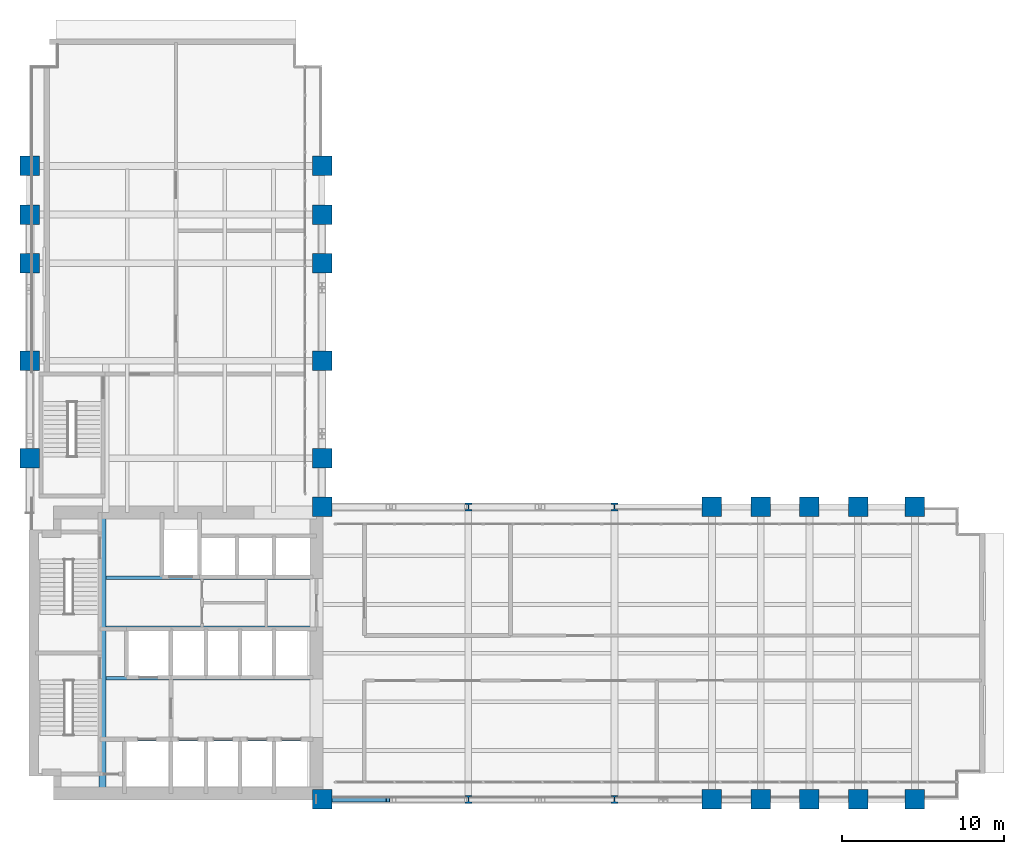
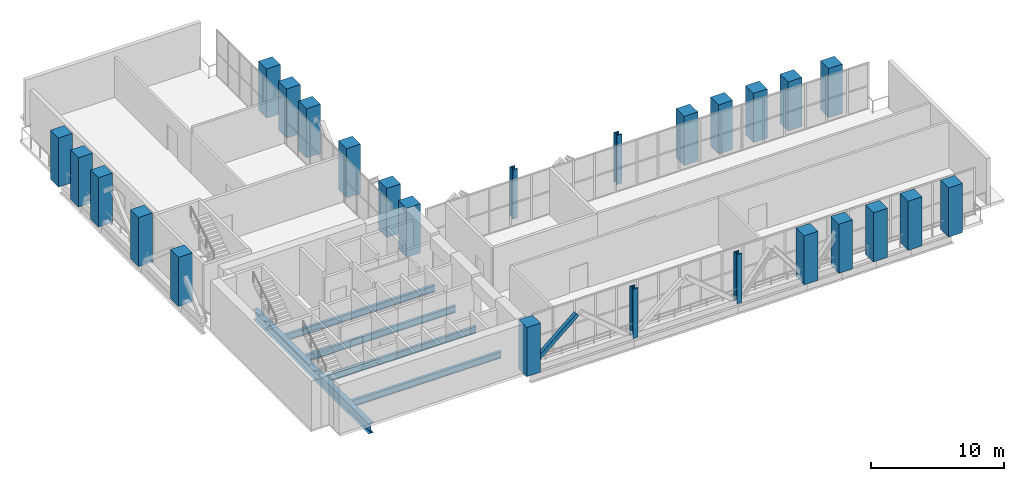
# One storey, part 1 of 27: 26 columns, 5 beams, 1 member.
"""IFC4 building model written with IfcOpenShell, lengths in metres."""

from ifc_helpers import new_model, si_unit, direction, frame, origin, origin_2d, place, context, subcontext, project, spatial, rectangle, hollow_rectangle, i_section, extrude, material, material_profile, profile_set, type_object, element, save


model = new_model("IFC4")

# Units and contexts
model_context = context("Model", 3, precision=1e-05, world=origin(), true_north=direction((0.0, 1.0)))
body_context = subcontext(model_context, "Body", "Model", "MODEL_VIEW")
ifc_project = project(units=[si_unit("LENGTHUNIT", "METRE"), si_unit("AREAUNIT", "SQUARE_METRE"), si_unit("VOLUMEUNIT", "CUBIC_METRE"), si_unit("PLANEANGLEUNIT", "RADIAN"), si_unit("MASSUNIT", "GRAM", prefix="KILO")], contexts=[model_context])

# Site, building, storey
site_placement = place(None, origin())
site = spatial("IfcSite", under=ifc_project, at=site_placement, CompositionType="ELEMENT")
building_placement = place(site_placement, origin())
building = spatial("IfcBuilding", under=site, at=building_placement, Name="Mawjdan Bourse Tower", CompositionType="ELEMENT")
storey_placement = place(building_placement, frame((0.0, 0.0, 84.60009765625)))
storey = spatial("IfcBuildingStorey", under=building, at=storey_placement, Name="L19", CompositionType="ELEMENT", Elevation=84.60009765625)

# Columns
ifc_material_1 = material(Name="Concrete C80/95", Category="concrete")
ifc_material_profile_1 = material_profile(ifc_material_1, rectangle(XDim=1.199951171875, YDim=1.199951171875, at=origin_2d()), Name="RC1200X1200")
ifc_profile_set_1 = profile_set([ifc_material_profile_1], Name="Concrete C80/95")
column_type_1 = type_object("IfcColumnType", Name="COL-RC1200X1200", PredefinedType="COLUMN", material=ifc_profile_set_1)
for number, where, z_axis, x_axis, name in (
    (1, (24.0, 3.0, 0.0), (0.0, 0.0, 1.0), (1.0, 0.0, 0.0), "L19 Structural Column C-X240-Y30"),
    (2, (24.0, 21.0, 0.0), (0.0, 0.0, 1.0), (1.0, 0.0, 0.0), "L19 Structural Column C-X240-Y210"),
    (3, (48.0, 3.0, 0.0), (0.0, 0.0, 1.0), (1.0, 0.0, 0.0), "L19 Structural Column C-X480-Y30"),
    (4, (48.0, 21.0, 0.0), (0.0, 0.0, 1.0), (1.0, 0.0, 0.0), "L19 Structural Column C-X480-Y210"),
    (5, (51.0, 3.0, 0.0), (0.0, 0.0, 1.0), (1.0, 0.0, 0.0), "L19 Structural Column C-X510-Y30"),
    (6, (51.0, 21.0, 0.0), (0.0, 0.0, 1.0), (1.0, 0.0, 0.0), "L19 Structural Column C-X510-Y210"),
    (7, (54.0, 3.0, 0.0), (0.0, 0.0, 1.0), (1.0, 0.0, 0.0), "L19 Structural Column C-X540-Y30"),
    (8, (54.0, 21.0, 0.0), (0.0, 0.0, 1.0), (1.0, 0.0, 0.0), "L19 Structural Column C-X540-Y210"),
    (9, (57.0, 3.0, 0.0), (0.0, 0.0, 1.0), (1.0, 0.0, 0.0), "L19 Structural Column C-X570-Y30"),
    (10, (57.0, 21.0, 0.0), (0.0, 0.0, 1.0), (1.0, 0.0, 0.0), "L19 Structural Column C-X570-Y210"),
    (11, (60.5, 3.0, 0.0), (0.0, 0.0, 1.0), (1.0, 0.0, 0.0), "L19 Structural Column C-X605-Y30"),
    (12, (60.5, 21.0, 0.0), (0.0, 0.0, 1.0), (1.0, 0.0, 0.0), "L19 Structural Column C-X605-Y210"),
    (13, (6.0, 24.0, 0.0), (0.0, 0.0, 1.0), (1.0, 0.0, 0.0), "L19 Structural Column C-X60-Y240"),
    (14, (24.0, 24.0, 0.0), (0.0, 0.0, 1.0), (1.0, 0.0, 0.0), "L19 Structural Column C-X240-Y240"),
    (15, (6.0, 30.0, 0.0), (0.0, 0.0, 1.0), (1.0, 0.0, 0.0), "L19 Structural Column C-X60-Y300"),
    (16, (24.0, 30.0, 0.0), (0.0, 0.0, 1.0), (1.0, 0.0, 0.0), "L19 Structural Column C-X240-Y300"),
    (17, (6.0, 36.0, 0.0), (0.0, 0.0, 1.0), (1.0, 0.0, 0.0), "L19 Structural Column C-X60-Y360"),
    (18, (24.0, 36.0, 0.0), (0.0, 0.0, 1.0), (1.0, 0.0, 0.0), "L19 Structural Column C-X240-Y360"),
    (19, (6.0, 39.0, 0.0), (0.0, 0.0, 1.0), (1.0, 0.0, 0.0), "L19 Structural Column C-X60-Y390"),
    (20, (24.0, 39.0, 0.0), (0.0, 0.0, 1.0), (1.0, 0.0, 0.0), "L19 Structural Column C-X240-Y390"),
    (21, (6.0, 42.0, 0.0), (0.0, 0.0, 1.0), (1.0, 0.0, 0.0), "L19 Structural Column C-X60-Y420"),
    (22, (24.0, 42.0, 0.0), (0.0, 0.0, 1.0), (1.0, 0.0, 0.0), "L19 Structural Column C-X240-Y420"),
):
    element("IfcColumn", number, at=place(storey_placement, frame(where, z_axis=z_axis, x_axis=x_axis)), inside=storey, type_object=column_type_1, Name=name, PredefinedType="COLUMN", context=body_context, shape_type="SweptSolid", body=[
        extrude(rectangle(XDim=1.199951171875, YDim=1.199951171875, at=origin_2d()), origin(), (0.0, 0.0, 1.0), 4.5),
    ])
ifc_material_2 = material(Name="Structural Steel S460", Category="steel")
ifc_material_profile_2 = material_profile(ifc_material_2, i_section(OverallWidth=0.431884765625, OverallDepth=0.498046875, WebThickness=0.0556640625, FlangeThickness=0.0888671875, FilletRadius=0.071044921875, at=origin_2d()), Name="W14X500")
ifc_profile_set_2 = profile_set([ifc_material_profile_2], Name="Structural Steel S460")
column_type_2 = type_object("IfcColumnType", Name="COL-W14X500", PredefinedType="COLUMN", material=ifc_profile_set_2)
for number, where, z_axis, x_axis, name in (
    (23, (33.0, 3.0, 0.0), (0.0, 0.0, 1.0), (1.0, 0.0, 0.0), "L19 Structural Column C-X330-Y30"),
    (24, (33.0, 21.0, 0.0), (0.0, 0.0, 1.0), (1.0, 0.0, 0.0), "L19 Structural Column C-X330-Y210"),
    (25, (42.0, 3.0, 0.0), (0.0, 0.0, 1.0), (1.0, 0.0, 0.0), "L19 Structural Column C-X420-Y30"),
    (26, (42.0, 21.0, 0.0), (0.0, 0.0, 1.0), (1.0, 0.0, 0.0), "L19 Structural Column C-X420-Y210"),
):
    element("IfcColumn", number, at=place(storey_placement, frame(where, z_axis=z_axis, x_axis=x_axis)), inside=storey, type_object=column_type_2, Name=name, PredefinedType="COLUMN", context=body_context, shape_type="SweptSolid", body=[
        extrude(i_section(OverallWidth=0.431884765625, OverallDepth=0.498046875, WebThickness=0.0556640625, FlangeThickness=0.0888671875, FilletRadius=0.071044921875, at=origin_2d()), origin(), (0.0, 0.0, 1.0), 4.5),
    ])

# Member
ifc_material_profile_3 = material_profile(ifc_material_2, hollow_rectangle(XDim=0.35009765625, YDim=0.35009765625, WallThickness=0.01611328125, at=origin_2d()), Name="HSS350X350X16")
ifc_profile_set_3 = profile_set([ifc_material_profile_3], Name="Structural Steel S460")
member_type = type_object("IfcMemberType", Name="BRC-HSS350X350X16", PredefinedType="BRACE", material=ifc_profile_set_3)
member_placement = place(storey_placement, frame((23.83349609375, 3.0, 0.199951171875), z_axis=(0.760829478047, 0.0, 0.648951851322), x_axis=(0.0, 1.0, 0.0)))
element("IfcMember", 27, at=member_placement, inside=storey, type_object=member_type, Name="L19 East Outrigger Truss 1 Diagonal 1", PredefinedType="BRACE", context=body_context, shape_type="SweptSolid", body=[
    extrude(hollow_rectangle(XDim=0.35009765625, YDim=0.35009765625, WallThickness=0.01611328125, at=origin_2d()), origin(), (0.0, 0.0, 1.0), 5.547119140625),
])

# Beams
ifc_material_profile_4 = material_profile(ifc_material_2, i_section(OverallWidth=0.41796875, OverallDepth=0.927001953125, WebThickness=0.019287109375, FlangeThickness=0.031982421875, FilletRadius=0.025634765625, at=origin_2d()), Name="W36X231")
ifc_profile_set_4 = profile_set([ifc_material_profile_4], Name="Structural Steel S460")
beam_type_1 = type_object("IfcBeamType", Name="GRD-W36X231", PredefinedType="BEAM", material=ifc_profile_set_4)
beam_placement = place(storey_placement, frame((10.47998046875, 3.35009765625, -0.74365234375), z_axis=(0.0, 1.0, 0.0), x_axis=(-1.0, 0.0, 0.0)))
element("IfcBeam", 28, at=beam_placement, inside=storey, type_object=beam_type_1, Name="L19 Core Stair Trimmer Girder 001", PredefinedType="BEAM", context=body_context, shape_type="SweptSolid", body=[
    extrude(i_section(OverallWidth=0.41796875, OverallDepth=0.927001953125, WebThickness=0.019287109375, FlangeThickness=0.031982421875, FilletRadius=0.025634765625, at=origin_2d()), origin(), (0.0, 0.0, 1.0), 17.2998046875),
])
ifc_material_3 = material(Name="Structural Steel S355", Category="steel")
ifc_material_profile_5 = material_profile(ifc_material_3, i_section(OverallWidth=0.22998046875, OverallDepth=0.616943359375, WebThickness=0.01318359375, FlangeThickness=0.022216796875, FilletRadius=0.017822265625, at=origin_2d()), Name="W24X94")
ifc_profile_set_5 = profile_set([ifc_material_profile_5], Name="Structural Steel S355")
beam_type_2 = type_object("IfcBeamType", Name="JST-W24X94", PredefinedType="JOIST", material=ifc_profile_set_5)
for number, where, z_axis, x_axis, name in (
    (29, (10.68701171875, 6.699951171875, -0.588623046875), (1.0, 0.0, 0.0), (0.0, 1.0, 0.0), "L19 Core Floor Joist 058"),
    (30, (10.68701171875, 10.449951171875, -0.588623046875), (1.0, 0.0, 0.0), (0.0, 1.0, 0.0), "L19 Core Floor Joist 059"),
    (31, (10.68701171875, 13.550048828125, -0.588623046875), (1.0, 0.0, 0.0), (0.0, 1.0, 0.0), "L19 Core Floor Joist 060"),
    (32, (10.68701171875, 16.64990234375, -0.588623046875), (1.0, 0.0, 0.0), (0.0, 1.0, 0.0), "L19 Core Floor Joist 061"),
):
    element("IfcBeam", number, at=place(storey_placement, frame(where, z_axis=z_axis, x_axis=x_axis)), inside=storey, type_object=beam_type_2, Name=name, PredefinedType="JOIST", context=body_context, shape_type="SweptSolid", body=[
        extrude(i_section(OverallWidth=0.22998046875, OverallDepth=0.616943359375, WebThickness=0.01318359375, FlangeThickness=0.022216796875, FilletRadius=0.017822265625, at=origin_2d()), origin(), (0.0, 0.0, 1.0), 12.962890625),
    ])

save(model, "model.ifc")
